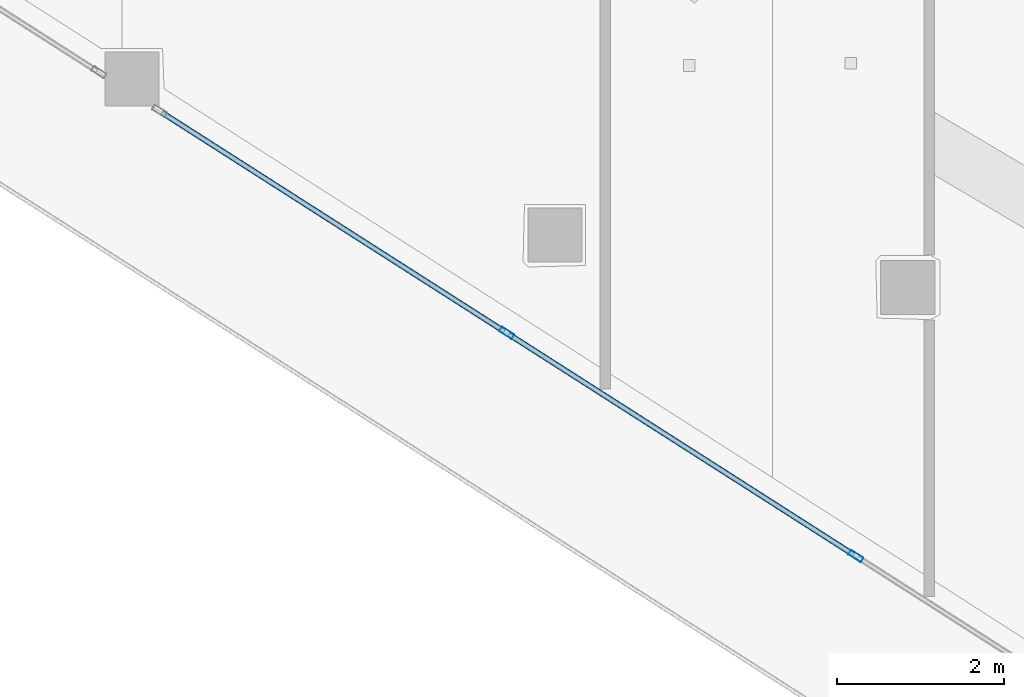
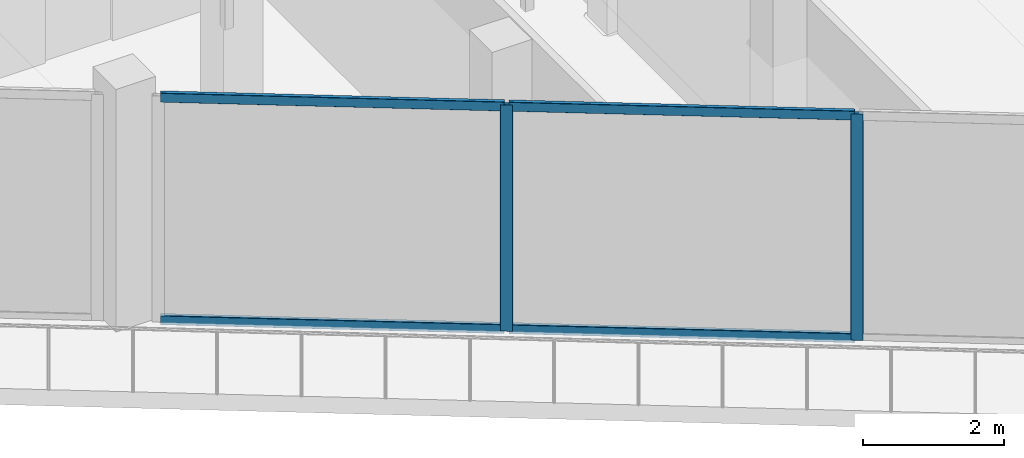
# One storey, part 2 of 44: 6 members, 1 element without a shape of its own.
"""IFC4 building model written with IfcOpenShell, lengths in metres."""

from ifc_helpers import new_model, si_unit, direction, frame, origin, origin_2d, place, context, subcontext, project, spatial, hollow_rectangle, extrude, material, layer, layer_set, material_profile, profile_set, type_object, element, aggregate, save


model = new_model("IFC4")

# Units and contexts
model_context = context("Model", 3, precision=1e-05, world=origin(), true_north=direction((0.0, 1.0)))
body_context = subcontext(model_context, "Body", "Model", "MODEL_VIEW")
ifc_project = project(units=[si_unit("LENGTHUNIT", "METRE"), si_unit("AREAUNIT", "SQUARE_METRE"), si_unit("VOLUMEUNIT", "CUBIC_METRE"), si_unit("PLANEANGLEUNIT", "RADIAN"), si_unit("MASSUNIT", "GRAM", prefix="KILO")], contexts=[model_context])

# Site, building, storey
site_placement = place(None, origin())
site = spatial("IfcSite", under=ifc_project, at=site_placement, CompositionType="ELEMENT")
building_placement = place(site_placement, origin())
building = spatial("IfcBuilding", under=site, at=building_placement, Name="Qorvath Tower", CompositionType="ELEMENT")
storey_placement = place(building_placement, frame((0.0, 0.0, 45.0)))
storey = spatial("IfcBuildingStorey", under=building, at=storey_placement, Name="L09", CompositionType="ELEMENT", Elevation=45.0)

# Curtain wall, members
ifc_material_1 = material(Name="Anodised aluminium and triple low-E glass", Category="aluminium")
ifc_layer = layer(ifc_material_1, 0.179931640625)
ifc_layer_set = layer_set([ifc_layer], Name="CW-SYS-2")
curtain_wall_type = type_object("IfcCurtainWallType", Name="CW-SYS-2", PredefinedType="NOTDEFINED", material=ifc_layer_set)
curtain_wall_placement = place(storey_placement, origin())
curtain_wall = element("IfcCurtainWall", 1, at=curtain_wall_placement, inside=storey, type_object=curtain_wall_type, Name="Curtain Wall CW-2 CW-T-L09-2.2", PredefinedType="NOTDEFINED")
ifc_material_2 = material(Name="Anodised aluminium 6063-T6", Category="aluminium")
ifc_material_profile_1 = material_profile(ifc_material_2, hollow_rectangle(XDim=0.06494140625, YDim=0.179931640625, WallThickness=0.00341796875, InnerFilletRadius=0.00341796875, OuterFilletRadius=0.007080078125, at=origin_2d()), Name="CWM 180x65")
ifc_profile_set_1 = profile_set([ifc_material_profile_1], Name="Anodised aluminium 6063-T6")
member_type_1 = type_object("IfcMemberType", Name="CWM-180", PredefinedType="MULLION", material=ifc_profile_set_1)
member_1_placement = place(storey_placement, frame((-35.832763671875, -20.006103515625, 0.0), z_axis=(0.0, 0.0, 1.0), x_axis=(0.538536571861, 0.842602136698, 0.0)))
member_1 = element("IfcMember", 2, at=member_1_placement, type_object=member_type_1, Name="CW-2 mullion 2", PredefinedType="MULLION", context=body_context, shape_type="SweptSolid", body=[
    extrude(hollow_rectangle(XDim=0.06494140625, YDim=0.179931640625, WallThickness=0.00341796875, InnerFilletRadius=0.00341796875, OuterFilletRadius=0.007080078125, at=origin_2d()), origin(), (0.0, 0.0, 1.0), 3.919921875),
])
member_2_placement = place(storey_placement, frame((-31.63916015625, -22.6865234375, 0.0), z_axis=(0.0, 0.0, 1.0), x_axis=(0.538536571861, 0.842602136698, 0.0)))
member_2 = element("IfcMember", 3, at=member_2_placement, type_object=member_type_1, Name="CW-2 mullion 3", PredefinedType="MULLION", context=body_context, shape_type="SweptSolid", body=[
    extrude(hollow_rectangle(XDim=0.06494140625, YDim=0.179931640625, WallThickness=0.00341796875, InnerFilletRadius=0.00341796875, OuterFilletRadius=0.007080078125, at=origin_2d()), origin(), (0.0, 0.0, 1.0), 3.919921875),
])
ifc_material_3 = material(Name="Anodised aluminium 6063-T6", Category="aluminium")
ifc_material_profile_2 = material_profile(ifc_material_3, hollow_rectangle(XDim=0.06494140625, YDim=0.159912109375, WallThickness=0.00341796875, InnerFilletRadius=0.00341796875, OuterFilletRadius=0.007080078125, at=origin_2d()), Name="CWT 160x65")
ifc_profile_set_2 = profile_set([ifc_material_profile_2], Name="Anodised aluminium 6063-T6")
member_type_2 = type_object("IfcMemberType", Name="CWT-160", PredefinedType="USERDEFINED", material=ifc_profile_set_2)
member_3_placement = place(storey_placement, frame((-39.971923828125, -17.360595703125, 0.032470703125), z_axis=(0.842609237317, -0.538525461969, 0.0), x_axis=(0.538525461969, 0.842609237317, 0.0)))
member_3 = element("IfcMember", 4, at=member_3_placement, type_object=member_type_2, Name="CW-2 transom 1.1", ObjectType="TRANSOM", PredefinedType="USERDEFINED", context=body_context, shape_type="SweptSolid", body=[
    extrude(hollow_rectangle(XDim=0.06494140625, YDim=0.159912109375, WallThickness=0.00341796875, InnerFilletRadius=0.00341796875, OuterFilletRadius=0.007080078125, at=origin_2d()), origin(), (0.0, 0.0, 1.0), 4.8798828125),
])
member_4_placement = place(storey_placement, frame((-39.971923828125, -17.360595703125, 3.887451171875), z_axis=(0.842609237317, -0.538525461969, 0.0), x_axis=(0.538525461969, 0.842609237317, 0.0)))
member_4 = element("IfcMember", 5, at=member_4_placement, type_object=member_type_2, Name="CW-2 transom 1.2", ObjectType="TRANSOM", PredefinedType="USERDEFINED", context=body_context, shape_type="SweptSolid", body=[
    extrude(hollow_rectangle(XDim=0.06494140625, YDim=0.159912109375, WallThickness=0.00341796875, InnerFilletRadius=0.00341796875, OuterFilletRadius=0.007080078125, at=origin_2d()), origin(), (0.0, 0.0, 1.0), 4.8798828125),
])
member_5_placement = place(storey_placement, frame((-35.805419921875, -20.023681640625, 0.032470703125), z_axis=(0.84260792766, -0.538527511131, 0.0), x_axis=(0.538527511131, 0.84260792766, 0.0)))
member_5 = element("IfcMember", 6, at=member_5_placement, type_object=member_type_2, Name="CW-2 transom 2.1", ObjectType="TRANSOM", PredefinedType="USERDEFINED", context=body_context, shape_type="SweptSolid", body=[
    extrude(hollow_rectangle(XDim=0.06494140625, YDim=0.159912109375, WallThickness=0.00341796875, InnerFilletRadius=0.00341796875, OuterFilletRadius=0.007080078125, at=origin_2d()), origin(), (0.0, 0.0, 1.0), 4.912109375),
])
member_6_placement = place(storey_placement, frame((-35.805419921875, -20.023681640625, 3.887451171875), z_axis=(0.84260792766, -0.538527511131, 0.0), x_axis=(0.538527511131, 0.84260792766, 0.0)))
member_6 = element("IfcMember", 7, at=member_6_placement, type_object=member_type_2, Name="CW-2 transom 2.2", ObjectType="TRANSOM", PredefinedType="USERDEFINED", context=body_context, shape_type="SweptSolid", body=[
    extrude(hollow_rectangle(XDim=0.06494140625, YDim=0.159912109375, WallThickness=0.00341796875, InnerFilletRadius=0.00341796875, OuterFilletRadius=0.007080078125, at=origin_2d()), origin(), (0.0, 0.0, 1.0), 4.912109375),
])
aggregate(curtain_wall, [member_1, member_2, member_3, member_4, member_5, member_6])

save(model, "model.ifc")
